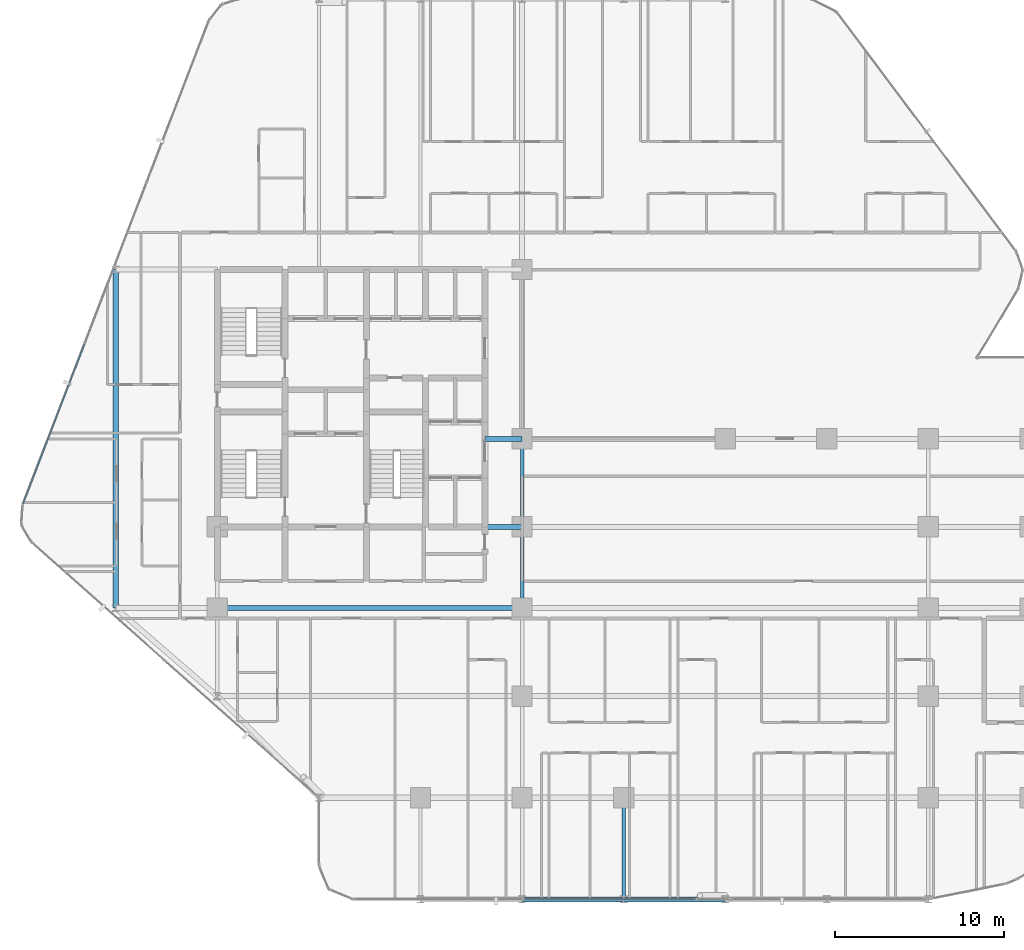
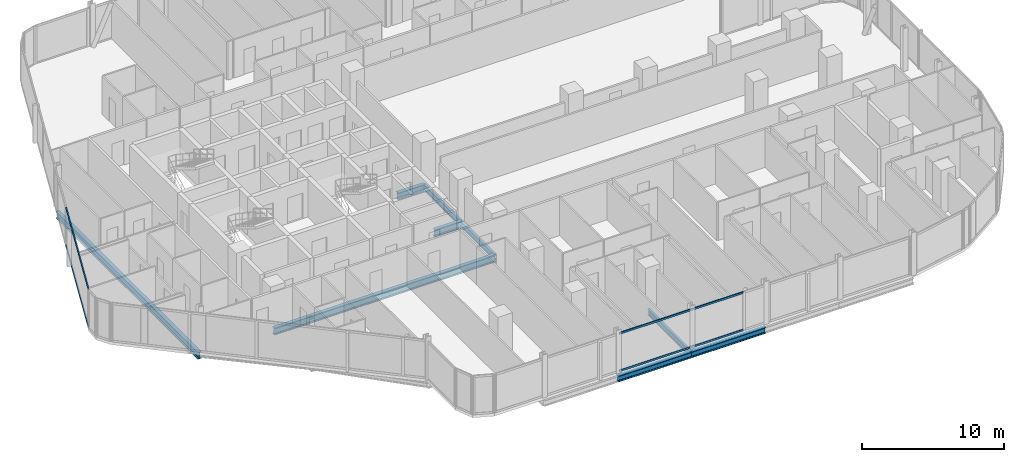
# One storey, part 7 of 34: 9 beams, 4 members, 2 elements without a shape of their own.
"""IFC4 building model written with IfcOpenShell, lengths in metres."""

from ifc_helpers import new_model, si_unit, direction, frame, origin, origin_2d, place, context, subcontext, project, spatial, hollow_rectangle, i_section, extrude, material, layer, layer_set, material_profile, profile_set, type_object, element, aggregate, save


model = new_model("IFC4")

# Units and contexts
model_context = context("Model", 3, precision=1e-05, world=origin(), true_north=direction((0.0, 1.0)))
body_context = subcontext(model_context, "Body", "Model", "MODEL_VIEW")
ifc_project = project(units=[si_unit("LENGTHUNIT", "METRE"), si_unit("AREAUNIT", "SQUARE_METRE"), si_unit("VOLUMEUNIT", "CUBIC_METRE"), si_unit("PLANEANGLEUNIT", "RADIAN"), si_unit("MASSUNIT", "GRAM", prefix="KILO")], contexts=[model_context])

# Site, building, storey
site_placement = place(None, origin())
site = spatial("IfcSite", under=ifc_project, at=site_placement, CompositionType="ELEMENT")
building_placement = place(site_placement, origin())
building = spatial("IfcBuilding", under=site, at=building_placement, Name="Keshet Zoharim Tower", CompositionType="ELEMENT")
storey_placement = place(building_placement, frame((0.0, 0.0, 77.5)))
storey = spatial("IfcBuildingStorey", under=building, at=storey_placement, Name="L18", CompositionType="ELEMENT", Elevation=77.5)

# Beams
ifc_material_1 = material(Name="Steel S355", Category="steel")
ifc_material_profile_1 = material_profile(ifc_material_1, i_section(OverallWidth=0.300048828125, OverallDepth=0.60009765625, WebThickness=0.015380859375, FlangeThickness=0.030029296875, FilletRadius=0.027099609375, at=origin_2d()), Name="HEB600")
ifc_profile_set_1 = profile_set([ifc_material_profile_1], Name="Steel S355")
beam_type_1 = type_object("IfcBeamType", Name="BM-CLK-HB600", PredefinedType="BEAM", material=ifc_profile_set_1)
for number, where, z_axis, x_axis, name in (
    (1, (30.800048828125, 22.699951171875, -0.614990234375), (1.0, 0.0, 0.0), (0.0, 1.0, 0.0), "L18 Core Wall Link Girder 01"),
    (2, (30.800048828125, 27.89990234375, -0.614990234375), (1.0, 0.0, 0.0), (0.0, 1.0, 0.0), "L18 Core Wall Link Girder 02"),
):
    element("IfcBeam", number, at=place(storey_placement, frame(where, z_axis=z_axis, x_axis=x_axis)), inside=storey, type_object=beam_type_1, Name=name, PredefinedType="BEAM", context=body_context, shape_type="SweptSolid", body=[
        extrude(i_section(OverallWidth=0.300048828125, OverallDepth=0.60009765625, WebThickness=0.015380859375, FlangeThickness=0.030029296875, FilletRadius=0.027099609375, at=origin_2d()), origin(), (0.0, 0.0, 1.0), 2.199951171875),
    ])
ifc_material_profile_2 = material_profile(ifc_material_1, i_section(OverallWidth=0.300048828125, OverallDepth=0.60009765625, WebThickness=0.015380859375, FlangeThickness=0.030029296875, FilletRadius=0.027099609375, at=origin_2d()), Name="HEB600")
ifc_profile_set_2 = profile_set([ifc_material_profile_2], Name="Steel S355")
beam_type_2 = type_object("IfcBeamType", Name="BM-LNG-HB600", PredefinedType="BEAM", material=ifc_profile_set_2)
beam_1_placement = place(storey_placement, frame((15.0, 17.89990234375, -0.614990234375), z_axis=(1.0, 0.0, 0.0), x_axis=(0.0, 1.0, 0.0)))
element("IfcBeam", 3, at=beam_1_placement, inside=storey, type_object=beam_type_2, Name="L18 Primary Girder X-016", PredefinedType="BEAM", context=body_context, shape_type="SweptSolid", body=[
    extrude(i_section(OverallWidth=0.300048828125, OverallDepth=0.60009765625, WebThickness=0.015380859375, FlangeThickness=0.030029296875, FilletRadius=0.027099609375, at=origin_2d()), origin(), (0.0, 0.0, 1.0), 18.0),
])
beam_2_placement = place(storey_placement, frame((9.0, 17.89990234375, -0.614990234375), z_axis=(0.0, 1.0, 0.0), x_axis=(-1.0, 0.0, 0.0)))
element("IfcBeam", 4, at=beam_2_placement, inside=storey, type_object=beam_type_2, Name="L18 Primary Girder Y-001", PredefinedType="BEAM", context=body_context, shape_type="SweptSolid", body=[
    extrude(i_section(OverallWidth=0.300048828125, OverallDepth=0.60009765625, WebThickness=0.015380859375, FlangeThickness=0.030029296875, FilletRadius=0.027099609375, at=origin_2d()), origin(), (0.0, 0.0, 1.0), 20.0),
])
ifc_material_profile_3 = material_profile(ifc_material_1, i_section(OverallWidth=0.199951171875, OverallDepth=0.5, WebThickness=0.01025390625, FlangeThickness=0.01611328125, FilletRadius=0.02099609375, at=origin_2d()), Name="IPE500")
ifc_profile_set_3 = profile_set([ifc_material_profile_3], Name="Steel S355")
beam_type_3 = type_object("IfcBeamType", Name="BM-PRI-IP500", PredefinedType="BEAM", material=ifc_profile_set_3)
beam_3_placement = place(storey_placement, frame((33.0, 17.89990234375, -0.56494140625), z_axis=(0.0, 1.0, 0.0), x_axis=(-1.0, 0.0, 0.0)))
element("IfcBeam", 5, at=beam_3_placement, inside=storey, type_object=beam_type_3, Name="L18 Primary Girder Y-008", PredefinedType="BEAM", context=body_context, shape_type="SweptSolid", body=[
    extrude(i_section(OverallWidth=0.199951171875, OverallDepth=0.5, WebThickness=0.01025390625, FlangeThickness=0.01611328125, FilletRadius=0.02099609375, at=origin_2d()), origin(), (0.0, 0.0, 1.0), 4.800048828125),
])
beam_4_placement = place(storey_placement, frame((33.0, 22.699951171875, -0.56494140625), z_axis=(0.0, 1.0, 0.0), x_axis=(-1.0, 0.0, 0.0)))
element("IfcBeam", 6, at=beam_4_placement, inside=storey, type_object=beam_type_3, Name="L18 Primary Girder Y-009", PredefinedType="BEAM", context=body_context, shape_type="SweptSolid", body=[
    extrude(i_section(OverallWidth=0.199951171875, OverallDepth=0.5, WebThickness=0.01025390625, FlangeThickness=0.01611328125, FilletRadius=0.02099609375, at=origin_2d()), origin(), (0.0, 0.0, 1.0), 5.199951171875),
])
beam_5_placement = place(storey_placement, frame((39.0, 0.699951171875, -0.56494140625), z_axis=(0.0, 1.0, 0.0), x_axis=(-1.0, 0.0, 0.0)))
element("IfcBeam", 7, at=beam_5_placement, inside=storey, type_object=beam_type_3, Name="L18 Primary Girder Y-012", PredefinedType="BEAM", context=body_context, shape_type="SweptSolid", body=[
    extrude(i_section(OverallWidth=0.199951171875, OverallDepth=0.5, WebThickness=0.01025390625, FlangeThickness=0.01611328125, FilletRadius=0.02099609375, at=origin_2d()), origin(), (0.0, 0.0, 1.0), 6.0),
])
ifc_material_profile_4 = material_profile(ifc_material_1, i_section(OverallWidth=0.300048828125, OverallDepth=0.5, WebThickness=0.014404296875, FlangeThickness=0.028076171875, FilletRadius=0.027099609375, at=origin_2d()), Name="HEB500")
ifc_profile_set_4 = profile_set([ifc_material_profile_4], Name="Steel S355")
beam_type_4 = type_object("IfcBeamType", Name="BM-WEB-HB500", PredefinedType="BEAM", material=ifc_profile_set_4)
for number, where, z_axis, x_axis, name in (
    (8, (33.0, 0.699951171875, -0.56494140625), (1.0, 0.0, 0.0), (0.0, 1.0, 0.0), "L18 Primary Girder X-002"),
    (9, (39.0, 0.699951171875, -0.56494140625), (1.0, 0.0, 0.0), (0.0, 1.0, 0.0), "L18 Primary Girder X-003"),
):
    element("IfcBeam", number, at=place(storey_placement, frame(where, z_axis=z_axis, x_axis=x_axis)), inside=storey, type_object=beam_type_4, Name=name, PredefinedType="BEAM", context=body_context, shape_type="SweptSolid", body=[
        extrude(i_section(OverallWidth=0.300048828125, OverallDepth=0.5, WebThickness=0.014404296875, FlangeThickness=0.028076171875, FilletRadius=0.027099609375, at=origin_2d()), origin(), (0.0, 0.0, 1.0), 6.0),
    ])

# Curtain wall, members
ifc_material_2 = material(Name="Aluminium 6063-T6", Category="aluminium")
ifc_layer = layer(ifc_material_2, 0.179931640625)
ifc_layer_set = layer_set([ifc_layer], Name="Aluminium 6063-T6")
curtain_wall_type = type_object("IfcCurtainWallType", Name="CW-SYS-01", PredefinedType="NOTDEFINED", material=ifc_layer_set)
curtain_wall_1_placement = place(storey_placement, origin())
curtain_wall_1 = element("IfcCurtainWall", 10, at=curtain_wall_1_placement, inside=storey, type_object=curtain_wall_type, Name="L18 Unitised Curtain Wall 04", PredefinedType="NOTDEFINED")
ifc_material_profile_5 = material_profile(ifc_material_2, hollow_rectangle(XDim=0.0849609375, YDim=0.159912109375, WallThickness=0.00439453125, at=origin_2d()), Name="TRN-85x160")
ifc_profile_set_5 = profile_set([ifc_material_profile_5], Name="Aluminium 6063-T6")
member_type = type_object("IfcMemberType", Name="CWT-T16", PredefinedType="USERDEFINED", material=ifc_profile_set_5)
member_1_placement = place(storey_placement, frame((3.522216796875, 24.058349609375, 0.034912109375), z_axis=(0.358993631387, 0.93334000912, 0.0), x_axis=(-0.93334000912, 0.358993631387, 0.0)))
member_1 = element("IfcMember", 11, at=member_1_placement, type_object=member_type, Name="CW-01 transom 1.1", ObjectType="TRANSOM", PredefinedType="USERDEFINED", context=body_context, shape_type="SweptSolid", body=[
    extrude(hollow_rectangle(XDim=0.0849609375, YDim=0.159912109375, WallThickness=0.00439453125, at=origin_2d()), origin(), (0.0, 0.0, 1.0), 10.1181640625),
])
member_2_placement = place(storey_placement, frame((3.522216796875, 24.058349609375, 3.2451171875), z_axis=(0.358993631387, 0.93334000912, 0.0), x_axis=(-0.93334000912, 0.358993631387, 0.0)))
member_2 = element("IfcMember", 12, at=member_2_placement, type_object=member_type, Name="CW-01 transom 1.2", ObjectType="TRANSOM", PredefinedType="USERDEFINED", context=body_context, shape_type="SweptSolid", body=[
    extrude(hollow_rectangle(XDim=0.0849609375, YDim=0.159912109375, WallThickness=0.00439453125, at=origin_2d()), origin(), (0.0, 0.0, 1.0), 10.1181640625),
])
aggregate(curtain_wall_1, [member_1, member_2])

curtain_wall_2_placement = place(storey_placement, origin())
curtain_wall_2 = element("IfcCurtainWall", 13, at=curtain_wall_2_placement, inside=storey, type_object=curtain_wall_type, Name="L18 Unitised Curtain Wall 26 Part 3", PredefinedType="NOTDEFINED")
member_3_placement = place(storey_placement, frame((43.23828125, 0.699951171875, 0.034912109375), z_axis=(-1.0, 0.0, 0.0), x_axis=(0.0, -1.0, 0.0)))
member_3 = element("IfcMember", 14, at=member_3_placement, type_object=member_type, Name="CW-01 transom 1.1", ObjectType="TRANSOM", PredefinedType="USERDEFINED", context=body_context, shape_type="SweptSolid", body=[
    extrude(hollow_rectangle(XDim=0.0849609375, YDim=0.159912109375, WallThickness=0.00439453125, at=origin_2d()), origin(), (0.0, 0.0, 1.0), 10.084228515625),
])
member_4_placement = place(storey_placement, frame((43.23828125, 0.699951171875, 3.2451171875), z_axis=(-1.0, 0.0, 0.0), x_axis=(0.0, -1.0, 0.0)))
member_4 = element("IfcMember", 15, at=member_4_placement, type_object=member_type, Name="CW-01 transom 1.2", ObjectType="TRANSOM", PredefinedType="USERDEFINED", context=body_context, shape_type="SweptSolid", body=[
    extrude(hollow_rectangle(XDim=0.0849609375, YDim=0.159912109375, WallThickness=0.00439453125, at=origin_2d()), origin(), (0.0, 0.0, 1.0), 10.084228515625),
])
aggregate(curtain_wall_2, [member_3, member_4])

save(model, "model.ifc")
